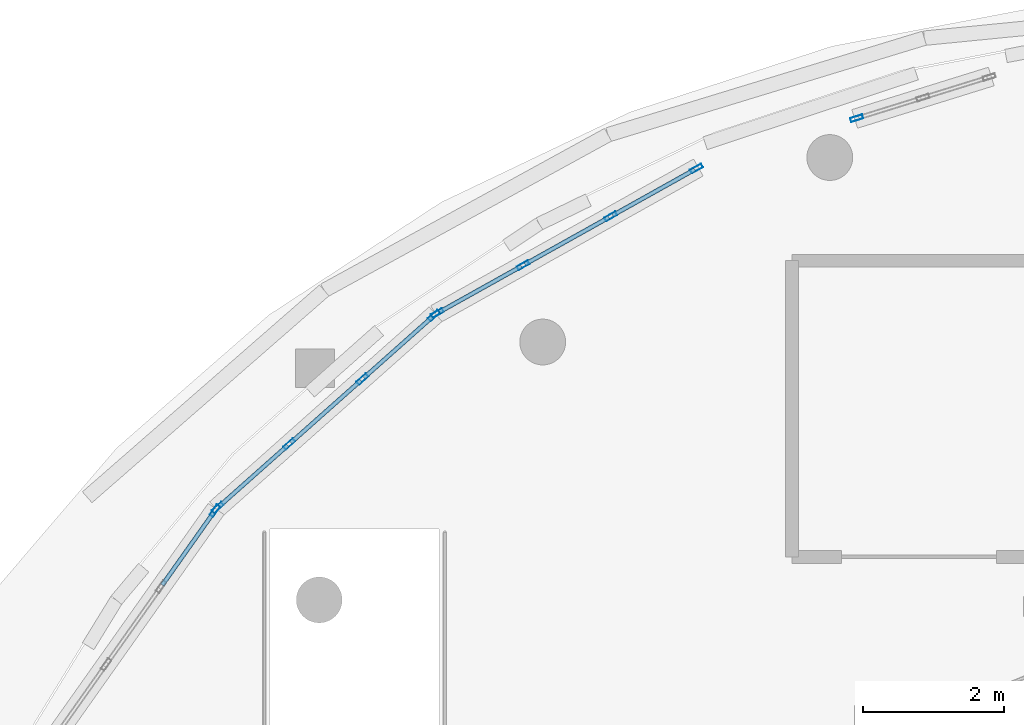
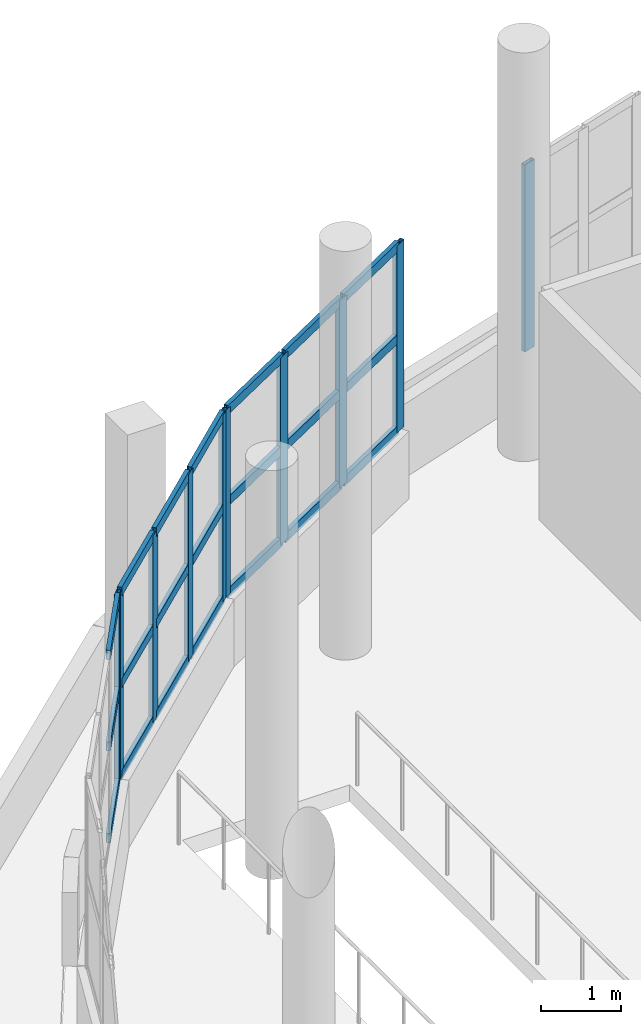
# One storey, part 30 of 105: 31 members, 4 elements without a shape of their own.
"""IFC4 building model written with IfcOpenShell, lengths in metres."""

from ifc_helpers import new_model, si_unit, direction, frame, origin, origin_2d, place, context, subcontext, project, spatial, hollow_rectangle, extrude, material, layer, layer_set, material_profile, profile_set, type_object, element, aggregate, save


model = new_model("IFC4")

# Units and contexts
model_context = context("Model", 3, precision=1e-05, world=origin(), true_north=direction((0.0, 1.0)))
body_context = subcontext(model_context, "Body", "Model", "MODEL_VIEW")
ifc_project = project(units=[si_unit("LENGTHUNIT", "METRE"), si_unit("AREAUNIT", "SQUARE_METRE"), si_unit("VOLUMEUNIT", "CUBIC_METRE"), si_unit("PLANEANGLEUNIT", "RADIAN"), si_unit("MASSUNIT", "GRAM", prefix="KILO")], contexts=[model_context])

# Site, building, storey
site_placement = place(None, origin())
site = spatial("IfcSite", under=ifc_project, at=site_placement, CompositionType="ELEMENT")
building_placement = place(site_placement, origin())
building = spatial("IfcBuilding", under=site, at=building_placement, Name="Pelvatis Terrace Science Centre", CompositionType="ELEMENT")
storey_placement = place(building_placement, frame((0.0, 0.0, 10.199951171875)))
storey = spatial("IfcBuildingStorey", under=building, at=storey_placement, Name="L02", CompositionType="ELEMENT", Elevation=10.199951171875)

# Curtain wall, member
ifc_material_1 = material(Name="Bronze-anodised aluminium and laminated glass", Category="aluminium")
ifc_layer = layer(ifc_material_1, 0.179931640625)
ifc_layer_set = layer_set([ifc_layer], Name="Bronze-anodised aluminium and laminated glass")
curtain_wall_type = type_object("IfcCurtainWallType", Name="CW-RIBBON-A", PredefinedType="NOTDEFINED", material=ifc_layer_set)
curtain_wall_1_placement = place(storey_placement, origin())
curtain_wall_1 = element("IfcCurtainWall", 1, at=curtain_wall_1_placement, inside=storey, type_object=curtain_wall_type, Name="Ribbon curtain wall CW-081 (L02)", PredefinedType="NOTDEFINED")
ifc_material_2 = material(Name="Bronze-anodised aluminium 6063-T6", Category="aluminium")
ifc_material_profile_1 = material_profile(ifc_material_2, hollow_rectangle(XDim=0.06005859375, YDim=0.179931640625, WallThickness=0.00390625, at=origin_2d()), Name="ALU-MUL 60x180")
ifc_profile_set_1 = profile_set([ifc_material_profile_1], Name="Bronze-anodised aluminium 6063-T6")
member_type_1 = type_object("IfcMemberType", Name="CWM-60x180", PredefinedType="MULLION", material=ifc_profile_set_1)
member_1_placement = place(storey_placement, frame((71.320068359375, 70.619873046875, 1.02001953125), z_axis=(0.0, 0.0, 1.0), x_axis=(0.296732748523, -0.954960562512, 0.0)))
member_1 = element("IfcMember", 2, at=member_1_placement, type_object=member_type_1, Name="CW-081 mullion 3", PredefinedType="MULLION", context=body_context, shape_type="SweptSolid", body=[
    extrude(hollow_rectangle(XDim=0.06005859375, YDim=0.179931640625, WallThickness=0.00390625, at=origin_2d()), origin(), (0.0, 0.0, 1.0), 2.840087890625),
])
aggregate(curtain_wall_1, [member_1])

# Curtain wall, members
curtain_wall_2_placement = place(storey_placement, origin())
curtain_wall_2 = element("IfcCurtainWall", 3, at=curtain_wall_2_placement, inside=storey, type_object=curtain_wall_type, Name="Ribbon curtain wall CW-082 (L02)", PredefinedType="NOTDEFINED")
member_2_placement = place(storey_placement, frame((69.048095703125, 69.9072265625, 1.02001953125), z_axis=(0.0, 0.0, 1.0), x_axis=(0.487256020167, -0.87325916589, 0.0)))
member_2 = element("IfcMember", 4, at=member_2_placement, type_object=member_type_1, Name="CW-082 mullion 1", PredefinedType="MULLION", context=body_context, shape_type="SweptSolid", body=[
    extrude(hollow_rectangle(XDim=0.06005859375, YDim=0.179931640625, WallThickness=0.00390625, at=origin_2d()), origin(), (0.0, 0.0, 1.0), 2.840087890625),
])
member_3_placement = place(storey_placement, frame((67.832275390625, 69.22900390625, 1.02001953125), z_axis=(0.0, 0.0, 1.0), x_axis=(0.487256020167, -0.87325916589, 0.0)))
member_3 = element("IfcMember", 5, at=member_3_placement, type_object=member_type_1, Name="CW-082 mullion 2", PredefinedType="MULLION", context=body_context, shape_type="SweptSolid", body=[
    extrude(hollow_rectangle(XDim=0.06005859375, YDim=0.179931640625, WallThickness=0.00390625, at=origin_2d()), origin(), (0.0, 0.0, 1.0), 2.840087890625),
])
member_4_placement = place(storey_placement, frame((66.59033203125, 68.535888671875, 1.02001953125), z_axis=(0.0, 0.0, 1.0), x_axis=(0.487256020167, -0.87325916589, 0.0)))
member_4 = element("IfcMember", 6, at=member_4_placement, type_object=member_type_1, Name="CW-082 mullion 3", PredefinedType="MULLION", context=body_context, shape_type="SweptSolid", body=[
    extrude(hollow_rectangle(XDim=0.06005859375, YDim=0.179931640625, WallThickness=0.00390625, at=origin_2d()), origin(), (0.0, 0.0, 1.0), 2.840087890625),
])
member_5_placement = place(storey_placement, frame((65.37451171875, 67.857666015625, 1.02001953125), z_axis=(0.0, 0.0, 1.0), x_axis=(0.487256020167, -0.87325916589, 0.0)))
member_5 = element("IfcMember", 7, at=member_5_placement, type_object=member_type_1, Name="CW-082 mullion 4", PredefinedType="MULLION", context=body_context, shape_type="SweptSolid", body=[
    extrude(hollow_rectangle(XDim=0.06005859375, YDim=0.179931640625, WallThickness=0.00390625, at=origin_2d()), origin(), (0.0, 0.0, 1.0), 2.840087890625),
])

curtain_wall_3_placement = place(storey_placement, origin())
curtain_wall_3 = element("IfcCurtainWall", 8, at=curtain_wall_3_placement, inside=storey, type_object=curtain_wall_type, Name="Ribbon curtain wall CW-083 (L02)", PredefinedType="NOTDEFINED")
member_6_placement = place(storey_placement, frame((65.325927734375, 67.822998046875, 1.02001953125), z_axis=(0.0, 0.0, 1.0), x_axis=(0.664016220834, -0.747718167808, 0.0)))
member_6 = element("IfcMember", 9, at=member_6_placement, type_object=member_type_1, Name="CW-083 mullion 1", PredefinedType="MULLION", context=body_context, shape_type="SweptSolid", body=[
    extrude(hollow_rectangle(XDim=0.06005859375, YDim=0.179931640625, WallThickness=0.00390625, at=origin_2d()), origin(), (0.0, 0.0, 1.0), 2.840087890625),
])
member_7_placement = place(storey_placement, frame((64.311279296875, 66.921875, 1.02001953125), z_axis=(0.0, 0.0, 1.0), x_axis=(0.664016220834, -0.747718167808, 0.0)))
member_7 = element("IfcMember", 10, at=member_7_placement, type_object=member_type_1, Name="CW-083 mullion 2", PredefinedType="MULLION", context=body_context, shape_type="SweptSolid", body=[
    extrude(hollow_rectangle(XDim=0.06005859375, YDim=0.179931640625, WallThickness=0.00390625, at=origin_2d()), origin(), (0.0, 0.0, 1.0), 2.840087890625),
])
member_8_placement = place(storey_placement, frame((63.274169921875, 66.0009765625, 1.02001953125), z_axis=(0.0, 0.0, 1.0), x_axis=(0.664016220834, -0.747718167808, 0.0)))
member_8 = element("IfcMember", 11, at=member_8_placement, type_object=member_type_1, Name="CW-083 mullion 3", PredefinedType="MULLION", context=body_context, shape_type="SweptSolid", body=[
    extrude(hollow_rectangle(XDim=0.06005859375, YDim=0.179931640625, WallThickness=0.00390625, at=origin_2d()), origin(), (0.0, 0.0, 1.0), 2.840087890625),
])
member_9_placement = place(storey_placement, frame((62.259521484375, 65.099853515625, 1.02001953125), z_axis=(0.0, 0.0, 1.0), x_axis=(0.664016220834, -0.747718167808, 0.0)))
member_9 = element("IfcMember", 12, at=member_9_placement, type_object=member_type_1, Name="CW-083 mullion 4", PredefinedType="MULLION", context=body_context, shape_type="SweptSolid", body=[
    extrude(hollow_rectangle(XDim=0.06005859375, YDim=0.179931640625, WallThickness=0.00390625, at=origin_2d()), origin(), (0.0, 0.0, 1.0), 2.840087890625),
])

# Curtain wall, member
curtain_wall_4_placement = place(storey_placement, origin())
curtain_wall_4 = element("IfcCurtainWall", 13, at=curtain_wall_4_placement, inside=storey, type_object=curtain_wall_type, Name="Ribbon curtain wall CW-084 (L02)", PredefinedType="NOTDEFINED")
member_10_placement = place(storey_placement, frame((62.2197265625, 65.055419921875, 1.02001953125), z_axis=(0.0, 0.0, 1.0), x_axis=(0.8163259778, -0.57759146286, 0.0)))
member_10 = element("IfcMember", 14, at=member_10_placement, type_object=member_type_1, Name="CW-084 mullion 1", PredefinedType="MULLION", context=body_context, shape_type="SweptSolid", body=[
    extrude(hollow_rectangle(XDim=0.06005859375, YDim=0.179931640625, WallThickness=0.00390625, at=origin_2d()), origin(), (0.0, 0.0, 1.0), 2.840087890625),
])

# Member
ifc_material_3 = material(Name="Bronze-anodised aluminium 6063-T6", Category="aluminium")
ifc_material_profile_2 = material_profile(ifc_material_3, hollow_rectangle(XDim=0.06005859375, YDim=0.139892578125, WallThickness=0.00390625, at=origin_2d()), Name="ALU-TRN 60x140")
ifc_profile_set_2 = profile_set([ifc_material_profile_2], Name="Bronze-anodised aluminium 6063-T6")
member_type_2 = type_object("IfcMemberType", Name="CWT-60x140", PredefinedType="USERDEFINED", material=ifc_profile_set_2)
member_11_placement = place(storey_placement, frame((69.021728515625, 69.892578125, 1.050048828125), z_axis=(-0.873317391793, -0.487151653176, 0.0), x_axis=(0.487151653176, -0.873317391793, 0.0)))
member_11 = element("IfcMember", 15, at=member_11_placement, type_object=member_type_2, Name="CW-082 transom 1.1", ObjectType="TRANSOM", PredefinedType="USERDEFINED", context=body_context, shape_type="SweptSolid", body=[
    extrude(hollow_rectangle(XDim=0.06005859375, YDim=0.139892578125, WallThickness=0.00390625, at=origin_2d()), origin(), (0.0, 0.0, 1.0), 1.33203125),
])

member_12_placement = place(storey_placement, frame((69.021728515625, 69.892578125, 2.43994140625), z_axis=(-0.873317391793, -0.487151653176, 0.0), x_axis=(0.487151653176, -0.873317391793, 0.0)))
member_12 = element("IfcMember", 16, at=member_12_placement, type_object=member_type_2, Name="CW-082 transom 1.2", ObjectType="TRANSOM", PredefinedType="USERDEFINED", context=body_context, shape_type="SweptSolid", body=[
    extrude(hollow_rectangle(XDim=0.06005859375, YDim=0.139892578125, WallThickness=0.00390625, at=origin_2d()), origin(), (0.0, 0.0, 1.0), 1.33203125),
])

member_13_placement = place(storey_placement, frame((69.021728515625, 69.892578125, 3.830078125), z_axis=(-0.873317391793, -0.487151653176, 0.0), x_axis=(0.487151653176, -0.873317391793, 0.0)))
member_13 = element("IfcMember", 17, at=member_13_placement, type_object=member_type_2, Name="CW-082 transom 1.3", ObjectType="TRANSOM", PredefinedType="USERDEFINED", context=body_context, shape_type="SweptSolid", body=[
    extrude(hollow_rectangle(XDim=0.06005859375, YDim=0.139892578125, WallThickness=0.00390625, at=origin_2d()), origin(), (0.0, 0.0, 1.0), 1.33203125),
])

member_14_placement = place(storey_placement, frame((67.80615234375, 69.21435546875, 1.050048828125), z_axis=(-0.873259769626, -0.487254938152, 0.0), x_axis=(0.487254938152, -0.873259769626, 0.0)))
member_14 = element("IfcMember", 18, at=member_14_placement, type_object=member_type_2, Name="CW-082 transom 2.1", ObjectType="TRANSOM", PredefinedType="USERDEFINED", context=body_context, shape_type="SweptSolid", body=[
    extrude(hollow_rectangle(XDim=0.06005859375, YDim=0.139892578125, WallThickness=0.00390625, at=origin_2d()), origin(), (0.0, 0.0, 1.0), 1.3623046875),
])

member_15_placement = place(storey_placement, frame((67.80615234375, 69.21435546875, 2.43994140625), z_axis=(-0.873259769626, -0.487254938152, 0.0), x_axis=(0.487254938152, -0.873259769626, 0.0)))
member_15 = element("IfcMember", 19, at=member_15_placement, type_object=member_type_2, Name="CW-082 transom 2.2", ObjectType="TRANSOM", PredefinedType="USERDEFINED", context=body_context, shape_type="SweptSolid", body=[
    extrude(hollow_rectangle(XDim=0.06005859375, YDim=0.139892578125, WallThickness=0.00390625, at=origin_2d()), origin(), (0.0, 0.0, 1.0), 1.3623046875),
])

member_16_placement = place(storey_placement, frame((67.80615234375, 69.21435546875, 3.830078125), z_axis=(-0.873259769626, -0.487254938152, 0.0), x_axis=(0.487254938152, -0.873259769626, 0.0)))
member_16 = element("IfcMember", 20, at=member_16_placement, type_object=member_type_2, Name="CW-082 transom 2.3", ObjectType="TRANSOM", PredefinedType="USERDEFINED", context=body_context, shape_type="SweptSolid", body=[
    extrude(hollow_rectangle(XDim=0.06005859375, YDim=0.139892578125, WallThickness=0.00390625, at=origin_2d()), origin(), (0.0, 0.0, 1.0), 1.3623046875),
])

member_17_placement = place(storey_placement, frame((66.564208984375, 68.521240234375, 1.050048828125), z_axis=(-0.873317391793, -0.487151653176, 0.0), x_axis=(0.487151653176, -0.873317391793, 0.0)))
member_17 = element("IfcMember", 21, at=member_17_placement, type_object=member_type_2, Name="CW-082 transom 3.1", ObjectType="TRANSOM", PredefinedType="USERDEFINED", context=body_context, shape_type="SweptSolid", body=[
    extrude(hollow_rectangle(XDim=0.06005859375, YDim=0.139892578125, WallThickness=0.00390625, at=origin_2d()), origin(), (0.0, 0.0, 1.0), 1.33203125),
])

member_18_placement = place(storey_placement, frame((66.564208984375, 68.521240234375, 2.43994140625), z_axis=(-0.873317391793, -0.487151653176, 0.0), x_axis=(0.487151653176, -0.873317391793, 0.0)))
member_18 = element("IfcMember", 22, at=member_18_placement, type_object=member_type_2, Name="CW-082 transom 3.2", ObjectType="TRANSOM", PredefinedType="USERDEFINED", context=body_context, shape_type="SweptSolid", body=[
    extrude(hollow_rectangle(XDim=0.06005859375, YDim=0.139892578125, WallThickness=0.00390625, at=origin_2d()), origin(), (0.0, 0.0, 1.0), 1.33203125),
])

member_19_placement = place(storey_placement, frame((66.564208984375, 68.521240234375, 3.830078125), z_axis=(-0.873317391793, -0.487151653176, 0.0), x_axis=(0.487151653176, -0.873317391793, 0.0)))
member_19 = element("IfcMember", 23, at=member_19_placement, type_object=member_type_2, Name="CW-082 transom 3.3", ObjectType="TRANSOM", PredefinedType="USERDEFINED", context=body_context, shape_type="SweptSolid", body=[
    extrude(hollow_rectangle(XDim=0.06005859375, YDim=0.139892578125, WallThickness=0.00390625, at=origin_2d()), origin(), (0.0, 0.0, 1.0), 1.33203125),
])

aggregate(curtain_wall_2, [member_2, member_3, member_4, member_5, member_11, member_12, member_13, member_14, member_15, member_16, member_17, member_18, member_19])

member_20_placement = place(storey_placement, frame((65.303466796875, 67.80322265625, 1.050048828125), z_axis=(-0.747658511552, -0.664083390926, 0.0), x_axis=(0.664083390926, -0.747658511552, 0.0)))
member_20 = element("IfcMember", 24, at=member_20_placement, type_object=member_type_2, Name="CW-083 transom 1.1", ObjectType="TRANSOM", PredefinedType="USERDEFINED", context=body_context, shape_type="SweptSolid", body=[
    extrude(hollow_rectangle(XDim=0.06005859375, YDim=0.139892578125, WallThickness=0.00390625, at=origin_2d()), origin(), (0.0, 0.0, 1.0), 1.297119140625),
])

member_21_placement = place(storey_placement, frame((65.303466796875, 67.80322265625, 2.43994140625), z_axis=(-0.747658511552, -0.664083390926, 0.0), x_axis=(0.664083390926, -0.747658511552, 0.0)))
member_21 = element("IfcMember", 25, at=member_21_placement, type_object=member_type_2, Name="CW-083 transom 1.2", ObjectType="TRANSOM", PredefinedType="USERDEFINED", context=body_context, shape_type="SweptSolid", body=[
    extrude(hollow_rectangle(XDim=0.06005859375, YDim=0.139892578125, WallThickness=0.00390625, at=origin_2d()), origin(), (0.0, 0.0, 1.0), 1.297119140625),
])

member_22_placement = place(storey_placement, frame((65.303466796875, 67.80322265625, 3.830078125), z_axis=(-0.747658511552, -0.664083390926, 0.0), x_axis=(0.664083390926, -0.747658511552, 0.0)))
member_22 = element("IfcMember", 26, at=member_22_placement, type_object=member_type_2, Name="CW-083 transom 1.3", ObjectType="TRANSOM", PredefinedType="USERDEFINED", context=body_context, shape_type="SweptSolid", body=[
    extrude(hollow_rectangle(XDim=0.06005859375, YDim=0.139892578125, WallThickness=0.00390625, at=origin_2d()), origin(), (0.0, 0.0, 1.0), 1.297119140625),
])

member_23_placement = place(storey_placement, frame((64.288818359375, 66.902099609375, 1.050048828125), z_axis=(-0.747632571561, -0.664112594325, 0.0), x_axis=(0.664112594325, -0.747632571561, 0.0)))
member_23 = element("IfcMember", 27, at=member_23_placement, type_object=member_type_2, Name="CW-083 transom 2.1", ObjectType="TRANSOM", PredefinedType="USERDEFINED", context=body_context, shape_type="SweptSolid", body=[
    extrude(hollow_rectangle(XDim=0.06005859375, YDim=0.139892578125, WallThickness=0.00390625, at=origin_2d()), origin(), (0.0, 0.0, 1.0), 1.3271484375),
])

member_24_placement = place(storey_placement, frame((64.288818359375, 66.902099609375, 2.43994140625), z_axis=(-0.747632571561, -0.664112594325, 0.0), x_axis=(0.664112594325, -0.747632571561, 0.0)))
member_24 = element("IfcMember", 28, at=member_24_placement, type_object=member_type_2, Name="CW-083 transom 2.2", ObjectType="TRANSOM", PredefinedType="USERDEFINED", context=body_context, shape_type="SweptSolid", body=[
    extrude(hollow_rectangle(XDim=0.06005859375, YDim=0.139892578125, WallThickness=0.00390625, at=origin_2d()), origin(), (0.0, 0.0, 1.0), 1.3271484375),
])

member_25_placement = place(storey_placement, frame((64.288818359375, 66.902099609375, 3.830078125), z_axis=(-0.747632571561, -0.664112594325, 0.0), x_axis=(0.664112594325, -0.747632571561, 0.0)))
member_25 = element("IfcMember", 29, at=member_25_placement, type_object=member_type_2, Name="CW-083 transom 2.3", ObjectType="TRANSOM", PredefinedType="USERDEFINED", context=body_context, shape_type="SweptSolid", body=[
    extrude(hollow_rectangle(XDim=0.06005859375, YDim=0.139892578125, WallThickness=0.00390625, at=origin_2d()), origin(), (0.0, 0.0, 1.0), 1.3271484375),
])

member_26_placement = place(storey_placement, frame((63.251708984375, 65.98095703125, 1.050048828125), z_axis=(-0.747658511552, -0.664083390926, 0.0), x_axis=(0.664083390926, -0.747658511552, 0.0)))
member_26 = element("IfcMember", 30, at=member_26_placement, type_object=member_type_2, Name="CW-083 transom 3.1", ObjectType="TRANSOM", PredefinedType="USERDEFINED", context=body_context, shape_type="SweptSolid", body=[
    extrude(hollow_rectangle(XDim=0.06005859375, YDim=0.139892578125, WallThickness=0.00390625, at=origin_2d()), origin(), (0.0, 0.0, 1.0), 1.297119140625),
])

member_27_placement = place(storey_placement, frame((63.251708984375, 65.98095703125, 2.43994140625), z_axis=(-0.747658511552, -0.664083390926, 0.0), x_axis=(0.664083390926, -0.747658511552, 0.0)))
member_27 = element("IfcMember", 31, at=member_27_placement, type_object=member_type_2, Name="CW-083 transom 3.2", ObjectType="TRANSOM", PredefinedType="USERDEFINED", context=body_context, shape_type="SweptSolid", body=[
    extrude(hollow_rectangle(XDim=0.06005859375, YDim=0.139892578125, WallThickness=0.00390625, at=origin_2d()), origin(), (0.0, 0.0, 1.0), 1.297119140625),
])

member_28_placement = place(storey_placement, frame((63.251708984375, 65.98095703125, 3.830078125), z_axis=(-0.747658511552, -0.664083390926, 0.0), x_axis=(0.664083390926, -0.747658511552, 0.0)))
member_28 = element("IfcMember", 32, at=member_28_placement, type_object=member_type_2, Name="CW-083 transom 3.3", ObjectType="TRANSOM", PredefinedType="USERDEFINED", context=body_context, shape_type="SweptSolid", body=[
    extrude(hollow_rectangle(XDim=0.06005859375, YDim=0.139892578125, WallThickness=0.00390625, at=origin_2d()), origin(), (0.0, 0.0, 1.0), 1.297119140625),
])

aggregate(curtain_wall_3, [member_6, member_7, member_8, member_9, member_20, member_21, member_22, member_23, member_24, member_25, member_26, member_27, member_28])

member_29_placement = place(storey_placement, frame((62.202392578125, 65.031005859375, 1.050048828125), z_axis=(-0.577625202532, -0.816302104248, 0.0), x_axis=(0.816302104248, -0.577625202532, 0.0)))
member_29 = element("IfcMember", 33, at=member_29_placement, type_object=member_type_2, Name="CW-084 transom 1.1", ObjectType="TRANSOM", PredefinedType="USERDEFINED", context=body_context, shape_type="SweptSolid", body=[
    extrude(hollow_rectangle(XDim=0.06005859375, YDim=0.139892578125, WallThickness=0.00390625, at=origin_2d()), origin(), (0.0, 0.0, 1.0), 1.26123046875),
])

member_30_placement = place(storey_placement, frame((62.202392578125, 65.031005859375, 2.43994140625), z_axis=(-0.577625202532, -0.816302104248, 0.0), x_axis=(0.816302104248, -0.577625202532, 0.0)))
member_30 = element("IfcMember", 34, at=member_30_placement, type_object=member_type_2, Name="CW-084 transom 1.2", ObjectType="TRANSOM", PredefinedType="USERDEFINED", context=body_context, shape_type="SweptSolid", body=[
    extrude(hollow_rectangle(XDim=0.06005859375, YDim=0.139892578125, WallThickness=0.00390625, at=origin_2d()), origin(), (0.0, 0.0, 1.0), 1.26123046875),
])

member_31_placement = place(storey_placement, frame((62.202392578125, 65.031005859375, 3.830078125), z_axis=(-0.577625202532, -0.816302104248, 0.0), x_axis=(0.816302104248, -0.577625202532, 0.0)))
member_31 = element("IfcMember", 35, at=member_31_placement, type_object=member_type_2, Name="CW-084 transom 1.3", ObjectType="TRANSOM", PredefinedType="USERDEFINED", context=body_context, shape_type="SweptSolid", body=[
    extrude(hollow_rectangle(XDim=0.06005859375, YDim=0.139892578125, WallThickness=0.00390625, at=origin_2d()), origin(), (0.0, 0.0, 1.0), 1.26123046875),
])

aggregate(curtain_wall_4, [member_10, member_29, member_30, member_31])

save(model, "model.ifc")
